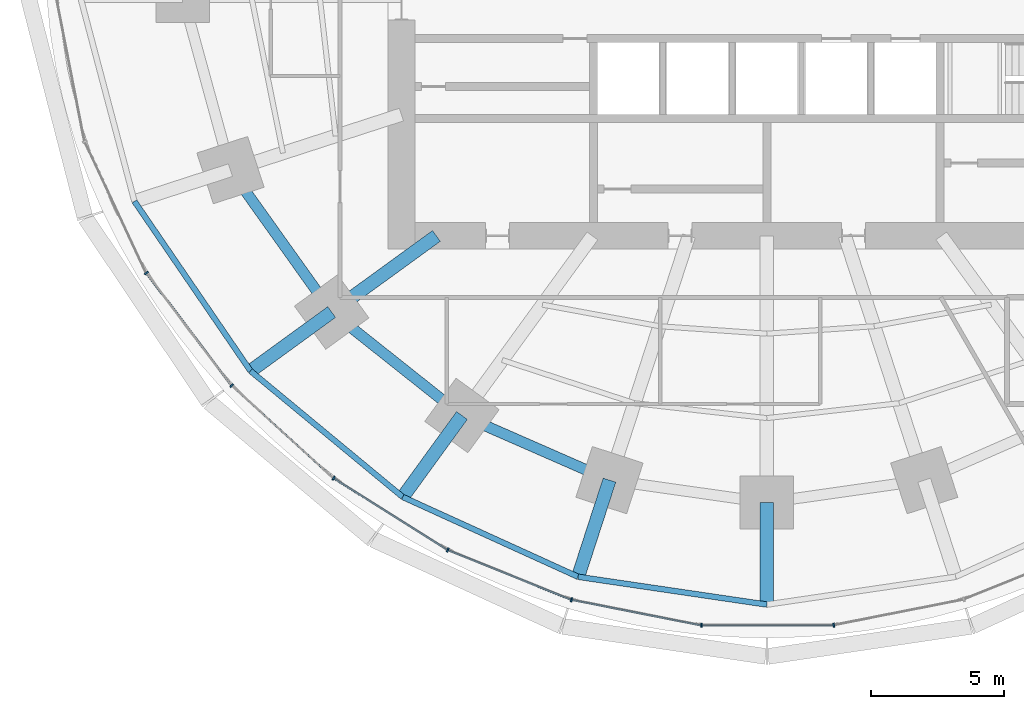
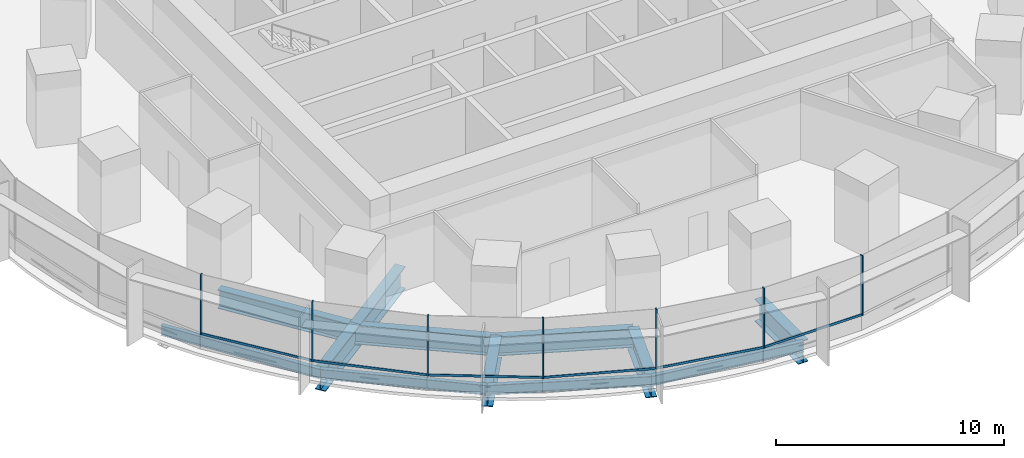
# One storey, part 2 of 15: 13 members, 12 beams, 2 elements without a shape of their own.
"""IFC4 building model written with IfcOpenShell, lengths in metres."""

from ifc_helpers import new_model, si_unit, direction, frame, origin, origin_2d, place, context, subcontext, project, spatial, rectangle, i_section, extrude, material, material_profile, profile_set, type_object, element, aggregate, save


model = new_model("IFC4")

# Units and contexts
model_context = context("Model", 3, precision=1e-05, world=origin(), true_north=direction((0.0, 1.0)))
body_context = subcontext(model_context, "Body", "Model", "MODEL_VIEW")
ifc_project = project(units=[si_unit("LENGTHUNIT", "METRE"), si_unit("AREAUNIT", "SQUARE_METRE"), si_unit("VOLUMEUNIT", "CUBIC_METRE"), si_unit("PLANEANGLEUNIT", "RADIAN"), si_unit("MASSUNIT", "GRAM", prefix="KILO")], contexts=[model_context])

# Site, building, storey
site_placement = place(None, origin())
site = spatial("IfcSite", under=ifc_project, at=site_placement, CompositionType="ELEMENT")
building_placement = place(site_placement, origin())
building = spatial("IfcBuilding", under=site, at=building_placement, Name="Marramba Exchange Tower", CompositionType="ELEMENT")
storey_placement = place(building_placement, frame((0.0, 0.0, 82.60009765625)))
storey = spatial("IfcBuildingStorey", under=building, at=storey_placement, Name="L19", CompositionType="ELEMENT", Elevation=82.60009765625)

# Beams
ifc_material_1 = material(Name="Steel AS/NZS 3679.2 grade 300", Category="steel")
ifc_material_profile_1 = material_profile(ifc_material_1, i_section(OverallWidth=0.5, OverallDepth=1.199951171875, WebThickness=0.01611328125, FlangeThickness=0.0400390625, at=origin_2d()), Name="1200WB455")
ifc_profile_set_1 = profile_set([ifc_material_profile_1], Name="Steel AS/NZS 3679.2 grade 300")
beam_type_1 = type_object("IfcBeamType", Name="Cantilever girder 1200WB455", PredefinedType="BEAM", material=ifc_profile_set_1)
beam_1_placement = place(storey_placement, frame((-16.3154296875, -11.853759765625, -0.760009765625), z_axis=(-0.809008346081, -0.587797155463, 0.0), x_axis=(0.587797155463, -0.809008346081, 0.0)))
element("IfcBeam", 1, at=beam_1_placement, inside=storey, type_object=beam_type_1, Name="Cantilever girder L19 TC13", PredefinedType="BEAM", context=body_context, shape_type="SweptSolid", body=[
    extrude(i_section(OverallWidth=0.5, OverallDepth=1.199951171875, WebThickness=0.01611328125, FlangeThickness=0.0400390625, at=origin_2d()), origin(), (0.0, 0.0, 1.0), 3.76025390625),
])
beam_2_placement = place(storey_placement, frame((-11.430419921875, -15.732666015625, -0.760009765625), z_axis=(-0.587787232741, -0.809015555491, 0.0), x_axis=(0.809015555491, -0.587787232741, 0.0)))
element("IfcBeam", 2, at=beam_2_placement, inside=storey, type_object=beam_type_1, Name="Cantilever girder L19 TC14", PredefinedType="BEAM", context=body_context, shape_type="SweptSolid", body=[
    extrude(i_section(OverallWidth=0.5, OverallDepth=1.199951171875, WebThickness=0.01611328125, FlangeThickness=0.0400390625, at=origin_2d()), origin(), (0.0, 0.0, 1.0), 3.7763671875),
])
beam_3_placement = place(storey_placement, frame((-5.899658203125, -18.156982421875, -0.760009765625), z_axis=(-0.309009272901, -0.951059025119, 0.0), x_axis=(0.951059025119, -0.309009272901, 0.0)))
element("IfcBeam", 3, at=beam_3_placement, inside=storey, type_object=beam_type_1, Name="Cantilever girder L19 TC15", PredefinedType="BEAM", context=body_context, shape_type="SweptSolid", body=[
    extrude(i_section(OverallWidth=0.5, OverallDepth=1.199951171875, WebThickness=0.01611328125, FlangeThickness=0.0400390625, at=origin_2d()), origin(), (0.0, 0.0, 1.0), 3.809814453125),
])
beam_4_placement = place(storey_placement, frame((0.0, -18.99609375, -0.760009765625), z_axis=(0.0, -1.0, 0.0), x_axis=(1.0, 0.0, 0.0)))
element("IfcBeam", 4, at=beam_4_placement, inside=storey, type_object=beam_type_1, Name="Cantilever girder L19 TC16", PredefinedType="BEAM", context=body_context, shape_type="SweptSolid", body=[
    extrude(i_section(OverallWidth=0.5, OverallDepth=1.199951171875, WebThickness=0.01611328125, FlangeThickness=0.0400390625, at=origin_2d()), origin(), (0.0, 0.0, 1.0), 3.825927734375),
])
ifc_material_profile_2 = material_profile(ifc_material_1, i_section(OverallWidth=0.5, OverallDepth=1.199951171875, WebThickness=0.01611328125, FlangeThickness=0.0400390625, at=origin_2d()), Name="1200WB455")
ifc_profile_set_2 = profile_set([ifc_material_profile_2], Name="Steel AS/NZS 3679.2 grade 300")
beam_type_2 = type_object("IfcBeamType", Name="Radial girder 1200WB455", PredefinedType="BEAM", material=ifc_profile_set_2)
beam_5_placement = place(storey_placement, frame((-12.387451171875, -9.0, -0.760009765625), z_axis=(-0.809025189606, -0.58777397236, 0.0), x_axis=(0.58777397236, -0.809025189606, 0.0)))
element("IfcBeam", 5, at=beam_5_placement, inside=storey, type_object=beam_type_2, Name="Radial girder L19 TC13", PredefinedType="BEAM", context=body_context, shape_type="SweptSolid", body=[
    extrude(i_section(OverallWidth=0.5, OverallDepth=1.199951171875, WebThickness=0.01611328125, FlangeThickness=0.0400390625, at=origin_2d()), origin(), (0.0, 0.0, 1.0), 4.855224609375),
])
ifc_material_profile_3 = material_profile(ifc_material_1, i_section(OverallWidth=0.39990234375, OverallDepth=1.0, WebThickness=0.01611328125, FlangeThickness=0.031982421875, at=origin_2d()), Name="1000WB322")
ifc_profile_set_3 = profile_set([ifc_material_profile_3], Name="Steel AS/NZS 3679.2 grade 300")
beam_type_3 = type_object("IfcBeamType", Name="Ring beam 1000WB322", PredefinedType="SPANDREL", material=ifc_profile_set_3)
beam_6_placement = place(storey_placement, frame((-20.109375, -6.533935546875, -0.66015625), z_axis=(0.580637181111, -0.814162430914, 0.0), x_axis=(0.814162430914, 0.580637181111, 0.0)))
element("IfcBeam", 6, at=beam_6_placement, inside=storey, type_object=beam_type_3, Name="Ring beam L19 TC12-TC13", PredefinedType="SPANDREL", context=body_context, shape_type="SweptSolid", body=[
    extrude(i_section(OverallWidth=0.39990234375, OverallDepth=1.0, WebThickness=0.01611328125, FlangeThickness=0.031982421875, at=origin_2d()), origin(), (0.0, 0.0, 1.0), 6.5341796875),
])
beam_7_placement = place(storey_placement, frame((-16.3154296875, -11.853759765625, -0.66015625), z_axis=(0.783139438128, -0.621846138887, 0.0), x_axis=(0.621846138887, 0.783139438128, 0.0)))
element("IfcBeam", 7, at=beam_7_placement, inside=storey, type_object=beam_type_3, Name="Ring beam L19 TC13-TC14", PredefinedType="SPANDREL", context=body_context, shape_type="SweptSolid", body=[
    extrude(i_section(OverallWidth=0.39990234375, OverallDepth=1.0, WebThickness=0.01611328125, FlangeThickness=0.031982421875, at=origin_2d()), origin(), (0.0, 0.0, 1.0), 6.23779296875),
])
beam_8_placement = place(storey_placement, frame((-11.430419921875, -15.732666015625, -0.66015625), z_axis=(0.915876892158, -0.4014592363, 0.0), x_axis=(0.4014592363, 0.915876892158, 0.0)))
element("IfcBeam", 8, at=beam_8_placement, inside=storey, type_object=beam_type_3, Name="Ring beam L19 TC14-TC15", PredefinedType="SPANDREL", context=body_context, shape_type="SweptSolid", body=[
    extrude(i_section(OverallWidth=0.39990234375, OverallDepth=1.0, WebThickness=0.01611328125, FlangeThickness=0.031982421875, at=origin_2d()), origin(), (0.0, 0.0, 1.0), 6.038818359375),
])
ifc_material_2 = material(Name="Steel AS/NZS 3679.1 grade 300", Category="steel")
ifc_material_profile_4 = material_profile(ifc_material_2, i_section(OverallWidth=0.208984375, OverallDepth=0.528076171875, WebThickness=0.009521484375, FlangeThickness=0.01318359375, FilletRadius=0.013916015625, at=origin_2d()), Name="530UB82.0")
ifc_profile_set_4 = profile_set([ifc_material_profile_4], Name="Steel AS/NZS 3679.1 grade 300")
beam_type_4 = type_object("IfcBeamType", Name="Slab edge beam 530UB82.0", PredefinedType="SPANDREL", material=ifc_profile_set_4)
beam_9_placement = place(storey_placement, frame((-23.709716796875, -7.703857421875, -0.424072265625), z_axis=(0.564740697285, -0.82526840775, 0.0), x_axis=(0.82526840775, 0.564740697285, 0.0)))
element("IfcBeam", 9, at=beam_9_placement, inside=storey, type_object=beam_type_4, Name="Slab edge beam L19 TC12-TC13", PredefinedType="SPANDREL", context=body_context, shape_type="SweptSolid", body=[
    extrude(i_section(OverallWidth=0.208984375, OverallDepth=0.528076171875, WebThickness=0.009521484375, FlangeThickness=0.01318359375, FilletRadius=0.013916015625, at=origin_2d()), origin(), (0.0, 0.0, 1.0), 7.706787109375),
])
beam_10_placement = place(storey_placement, frame((-19.357421875, -14.06396484375, -0.424072265625), z_axis=(0.770353575372, -0.637616945283, 0.0), x_axis=(0.637616945283, 0.770353575372, 0.0)))
element("IfcBeam", 10, at=beam_10_placement, inside=storey, type_object=beam_type_4, Name="Slab edge beam L19 TC13-TC14", PredefinedType="SPANDREL", context=body_context, shape_type="SweptSolid", body=[
    extrude(i_section(OverallWidth=0.208984375, OverallDepth=0.528076171875, WebThickness=0.009521484375, FlangeThickness=0.01318359375, FilletRadius=0.013916015625, at=origin_2d()), origin(), (0.0, 0.0, 1.0), 7.40869140625),
])
beam_11_placement = place(storey_placement, frame((-13.650146484375, -18.787841796875, -0.424072265625), z_axis=(0.910126690081, -0.414330071324, 0.0), x_axis=(0.414330071324, 0.910126690081, 0.0)))
element("IfcBeam", 11, at=beam_11_placement, inside=storey, type_object=beam_type_4, Name="Slab edge beam L19 TC14-TC15", PredefinedType="SPANDREL", context=body_context, shape_type="SweptSolid", body=[
    extrude(i_section(OverallWidth=0.208984375, OverallDepth=0.528076171875, WebThickness=0.009521484375, FlangeThickness=0.01318359375, FilletRadius=0.013916015625, at=origin_2d()), origin(), (0.0, 0.0, 1.0), 7.222412109375),
])
beam_12_placement = place(storey_placement, frame((-7.076904296875, -21.7802734375, -0.424072265625), z_axis=(0.989338462178, -0.145634498848, 0.0), x_axis=(0.145634498848, 0.989338462178, 0.0)))
element("IfcBeam", 12, at=beam_12_placement, inside=storey, type_object=beam_type_4, Name="Slab edge beam L19 TC15-TC16", PredefinedType="SPANDREL", context=body_context, shape_type="SweptSolid", body=[
    extrude(i_section(OverallWidth=0.208984375, OverallDepth=0.528076171875, WebThickness=0.009521484375, FlangeThickness=0.01318359375, FilletRadius=0.013916015625, at=origin_2d()), origin(), (0.0, 0.0, 1.0), 7.153076171875),
])

# Curtain wall, members
ifc_material_3 = material(Name="Aluminium framing, bronze anodised", Category="aluminium")
curtain_wall_type = type_object("IfcCurtainWallType", Name="Trading floor ribbon curtain wall", PredefinedType="USERDEFINED", material=ifc_material_3)
curtain_wall_1_placement = place(storey_placement, origin())
curtain_wall_1 = element("IfcCurtainWall", 13, at=curtain_wall_1_placement, inside=storey, type_object=curtain_wall_type, Name="Curtain wall CW3 L19 F16-F20", ObjectType="RIBBON CURTAIN WALL", PredefinedType="USERDEFINED")
ifc_material_4 = material(Name="Aluminium mullion, bronze anodised", Category="aluminium")
ifc_material_profile_5 = material_profile(ifc_material_4, rectangle(XDim=0.159912109375, YDim=0.06005859375, at=origin_2d()), Name="CW3 mullion 60x160")
ifc_profile_set_5 = profile_set([ifc_material_profile_5], Name="Aluminium mullion, bronze anodised")
member_type_1 = type_object("IfcMemberType", Name="Trading floor ribbon curtain wall mullion", PredefinedType="MULLION", material=ifc_profile_set_5)
member_1_placement = place(storey_placement, frame((-23.26318359375, -10.389404296875, 0.7998046875), z_axis=(0.0, 0.0, 1.0), x_axis=(0.797710591138, 0.603040473588, 0.0)))
member_1 = element("IfcMember", 14, at=member_1_placement, type_object=member_type_1, Name="CW3 mullion 1", PredefinedType="MULLION", context=body_context, shape_type="SweptSolid", body=[
    extrude(rectangle(XDim=0.159912109375, YDim=0.06005859375, at=origin_2d()), origin(), (0.0, 0.0, 1.0), 3.2001953125),
])
member_2_placement = place(storey_placement, frame((-20.063232421875, -14.61328125, 0.7998046875), z_axis=(0.0, 0.0, 1.0), x_axis=(0.673058133441, 0.739589581463, 0.0)))
member_2 = element("IfcMember", 15, at=member_2_placement, type_object=member_type_1, Name="CW3 mullion 1", PredefinedType="MULLION", context=body_context, shape_type="SweptSolid", body=[
    extrude(rectangle(XDim=0.159912109375, YDim=0.06005859375, at=origin_2d()), origin(), (0.0, 0.0, 1.0), 3.2001953125),
])
member_3_placement = place(storey_placement, frame((-16.242431640625, -18.083251953125, 0.7998046875), z_axis=(0.0, 0.0, 1.0), x_axis=(0.533514646612, 0.845790826298, 0.0)))
member_3 = element("IfcMember", 16, at=member_3_placement, type_object=member_type_1, Name="CW3 mullion 1", PredefinedType="MULLION", context=body_context, shape_type="SweptSolid", body=[
    extrude(rectangle(XDim=0.159912109375, YDim=0.06005859375, at=origin_2d()), origin(), (0.0, 0.0, 1.0), 3.2001953125),
])

curtain_wall_2_placement = place(storey_placement, origin())
curtain_wall_2 = element("IfcCurtainWall", 17, at=curtain_wall_2_placement, inside=storey, type_object=curtain_wall_type, Name="Curtain wall CW3 L19 F21-F25", ObjectType="RIBBON CURTAIN WALL", PredefinedType="USERDEFINED")
member_4_placement = place(storey_placement, frame((-11.96142578125, -20.77734375, 0.7998046875), z_axis=(0.0, 0.0, 1.0), x_axis=(0.374218219325, 0.927340673283, 0.0)))
member_4 = element("IfcMember", 18, at=member_4_placement, type_object=member_type_1, Name="CW3 mullion 1", PredefinedType="MULLION", context=body_context, shape_type="SweptSolid", body=[
    extrude(rectangle(XDim=0.159912109375, YDim=0.06005859375, at=origin_2d()), origin(), (0.0, 0.0, 1.0), 3.2001953125),
])
member_5_placement = place(storey_placement, frame((-7.325439453125, -22.64208984375, 0.7998046875), z_axis=(0.0, 0.0, 1.0), x_axis=(0.193961202977, 0.98100920064, 0.0)))
member_5 = element("IfcMember", 19, at=member_5_placement, type_object=member_type_1, Name="CW3 mullion 1", PredefinedType="MULLION", context=body_context, shape_type="SweptSolid", body=[
    extrude(rectangle(XDim=0.159912109375, YDim=0.06005859375, at=origin_2d()), origin(), (0.0, 0.0, 1.0), 3.2001953125),
])
member_6_placement = place(storey_placement, frame((-2.450439453125, -23.599853515625, 0.7998046875), z_axis=(0.0, 0.0, 1.0), x_axis=(0.0, 1.0, 0.0)))
member_6 = element("IfcMember", 20, at=member_6_placement, type_object=member_type_1, Name="CW3 mullion 1", PredefinedType="MULLION", context=body_context, shape_type="SweptSolid", body=[
    extrude(rectangle(XDim=0.159912109375, YDim=0.06005859375, at=origin_2d()), origin(), (0.0, 0.0, 1.0), 3.2001953125),
])
member_7_placement = place(storey_placement, frame((2.509765625, -23.59423828125, 0.7998046875), z_axis=(0.0, 0.0, 1.0), x_axis=(-0.193961202977, 0.98100920064, 0.0)))
member_7 = element("IfcMember", 21, at=member_7_placement, type_object=member_type_1, Name="CW3 mullion 1", PredefinedType="MULLION", context=body_context, shape_type="SweptSolid", body=[
    extrude(rectangle(XDim=0.159912109375, YDim=0.06005859375, at=origin_2d()), origin(), (0.0, 0.0, 1.0), 3.2001953125),
])

# Member
ifc_material_5 = material(Name="Aluminium transom, bronze anodised", Category="aluminium")
ifc_material_profile_6 = material_profile(ifc_material_5, rectangle(XDim=0.06005859375, YDim=0.1201171875, at=origin_2d()), Name="CW3 transom 60x120")
ifc_profile_set_6 = profile_set([ifc_material_profile_6], Name="Aluminium transom, bronze anodised")
member_type_2 = type_object("IfcMemberType", Name="Trading floor ribbon curtain wall transom", PredefinedType="USERDEFINED", material=ifc_profile_set_6)
member_8_placement = place(storey_placement, frame((-23.2451171875, -10.413330078125, 0.829833984375), z_axis=(0.603037409419, -0.797712907531, 0.0), x_axis=(0.797712907531, 0.603037409419, 0.0)))
member_8 = element("IfcMember", 22, at=member_8_placement, type_object=member_type_2, Name="CW3 sill transom", ObjectType="TRANSOM", PredefinedType="USERDEFINED", context=body_context, shape_type="SweptSolid", body=[
    extrude(rectangle(XDim=0.06005859375, YDim=0.1201171875, at=origin_2d()), origin(), (0.0, 0.0, 1.0), 5.239501953125),
])

member_9_placement = place(storey_placement, frame((-20.041015625, -14.63330078125, 0.829833984375), z_axis=(0.739582688456, -0.673065707741, 0.0), x_axis=(0.673065707741, 0.739582688456, 0.0)))
member_9 = element("IfcMember", 23, at=member_9_placement, type_object=member_type_2, Name="CW3 sill transom", ObjectType="TRANSOM", PredefinedType="USERDEFINED", context=body_context, shape_type="SweptSolid", body=[
    extrude(rectangle(XDim=0.06005859375, YDim=0.1201171875, at=origin_2d()), origin(), (0.0, 0.0, 1.0), 5.101806640625),
])

member_10_placement = place(storey_placement, frame((-16.217041015625, -18.09912109375, 0.829833984375), z_axis=(0.845776602594, -0.533537195053, 0.0), x_axis=(0.533537195053, 0.845776602594, 0.0)))
member_10 = element("IfcMember", 24, at=member_10_placement, type_object=member_type_2, Name="CW3 sill transom", ObjectType="TRANSOM", PredefinedType="USERDEFINED", context=body_context, shape_type="SweptSolid", body=[
    extrude(rectangle(XDim=0.06005859375, YDim=0.1201171875, at=origin_2d()), origin(), (0.0, 0.0, 1.0), 4.998779296875),
])

aggregate(curtain_wall_1, [member_1, member_8, member_2, member_9, member_3, member_10])

member_11_placement = place(storey_placement, frame((-11.93359375, -20.78857421875, 0.829833984375), z_axis=(0.927340197166, -0.374219399176, 0.0), x_axis=(0.374219399176, 0.927340197166, 0.0)))
member_11 = element("IfcMember", 25, at=member_11_placement, type_object=member_type_2, Name="CW3 sill transom", ObjectType="TRANSOM", PredefinedType="USERDEFINED", context=body_context, shape_type="SweptSolid", body=[
    extrude(rectangle(XDim=0.06005859375, YDim=0.1201171875, at=origin_2d()), origin(), (0.0, 0.0, 1.0), 4.937255859375),
])

member_12_placement = place(storey_placement, frame((-7.296142578125, -22.64794921875, 0.829833984375), z_axis=(0.981018169547, -0.193915834883, 0.0), x_axis=(0.193915834883, 0.981018169547, 0.0)))
member_12 = element("IfcMember", 26, at=member_12_placement, type_object=member_type_2, Name="CW3 sill transom", ObjectType="TRANSOM", PredefinedType="USERDEFINED", context=body_context, shape_type="SweptSolid", body=[
    extrude(rectangle(XDim=0.06005859375, YDim=0.1201171875, at=origin_2d()), origin(), (0.0, 0.0, 1.0), 4.908935546875),
])

member_13_placement = place(storey_placement, frame((-2.42041015625, -23.599853515625, 0.829833984375), z_axis=(1.0, 0.0, 0.0), x_axis=(0.0, 1.0, 0.0)))
member_13 = element("IfcMember", 27, at=member_13_placement, type_object=member_type_2, Name="CW3 sill transom", ObjectType="TRANSOM", PredefinedType="USERDEFINED", context=body_context, shape_type="SweptSolid", body=[
    extrude(rectangle(XDim=0.06005859375, YDim=0.1201171875, at=origin_2d()), origin(), (0.0, 0.0, 1.0), 4.90087890625),
])

aggregate(curtain_wall_2, [member_4, member_11, member_5, member_12, member_6, member_13, member_7])

save(model, "model.ifc")
